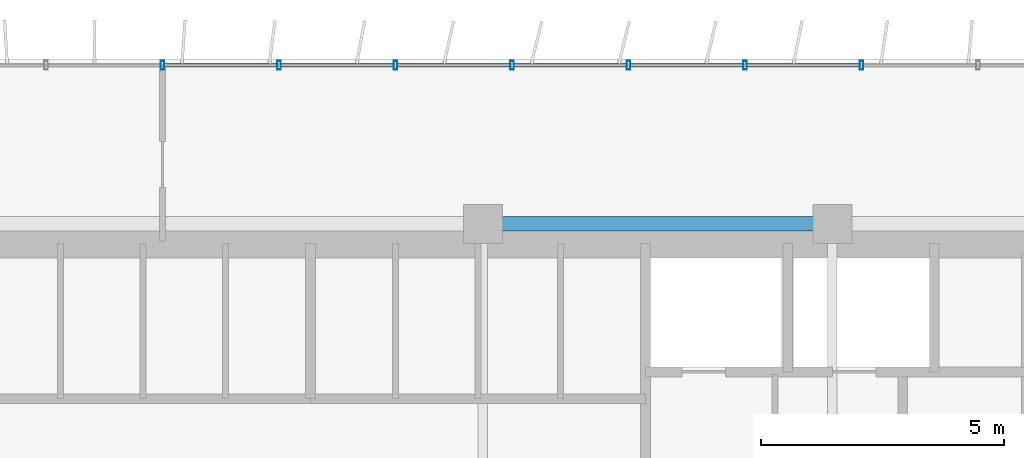
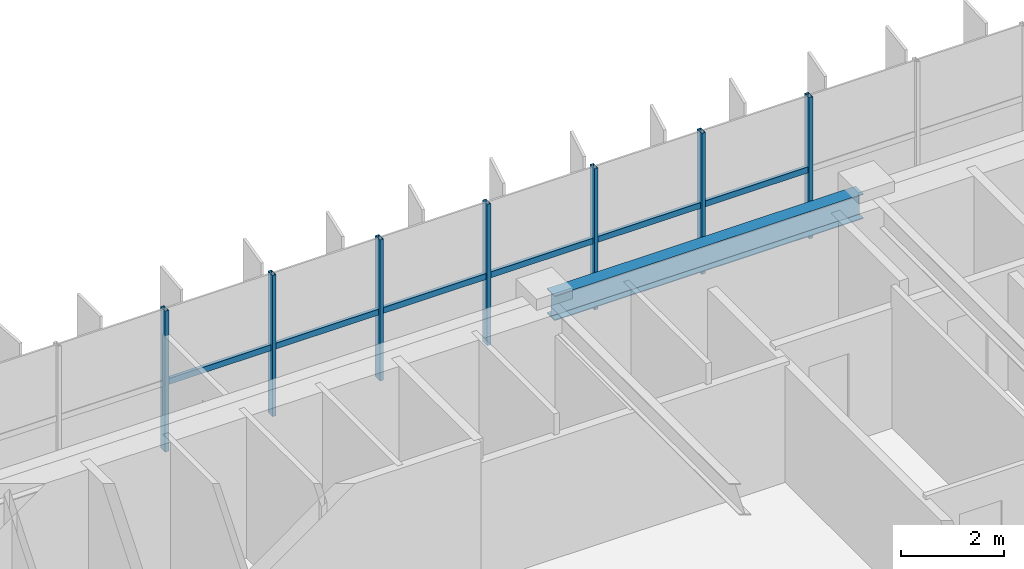
# One storey, part 9 of 22: 13 members, 1 beam, 1 element without a shape of its own.
"""IFC4 building model written with IfcOpenShell, lengths in metres."""

from ifc_helpers import new_model, si_unit, direction, frame, origin, origin_2d, place, context, subcontext, project, spatial, hollow_rectangle, i_section, extrude, source, transform, mapped, material, material_profile, profile_set, type_object, element, aggregate, save


model = new_model("IFC4")

# Units and contexts
model_context = context("Model", 3, precision=1e-05, world=origin(), true_north=direction((0.0, 1.0)))
body_context = subcontext(model_context, "Body", "Model", "MODEL_VIEW")
ifc_project = project(units=[si_unit("LENGTHUNIT", "METRE"), si_unit("AREAUNIT", "SQUARE_METRE"), si_unit("VOLUMEUNIT", "CUBIC_METRE"), si_unit("PLANEANGLEUNIT", "RADIAN"), si_unit("MASSUNIT", "GRAM", prefix="KILO")], contexts=[model_context])

# Site, building, storey
site_placement = place(None, origin())
site = spatial("IfcSite", under=ifc_project, at=site_placement, CompositionType="ELEMENT")
building_placement = place(site_placement, origin())
building = spatial("IfcBuilding", under=site, at=building_placement, Name="Trelvane Seafront Commons", CompositionType="ELEMENT")
storey_placement = place(building_placement, frame((0.0, 0.0, 81.699951171875)))
storey = spatial("IfcBuildingStorey", under=building, at=storey_placement, Name="L20", CompositionType="ELEMENT", Elevation=81.699951171875)

# Beam
ifc_material_1 = material(Name="Steel SM355 (S355)", Category="steel")
ifc_material_profile_1 = material_profile(ifc_material_1, i_section(OverallWidth=0.300048828125, OverallDepth=0.587890625, WebThickness=0.011962890625, FlangeThickness=0.02001953125, at=origin_2d()), Name="H-588x300x12x20")
ifc_profile_set_1 = profile_set([ifc_material_profile_1], Name="Steel SM355 (S355)")
beam_type = type_object("IfcBeamType", Name="STR-BM-H588", PredefinedType="BEAM", material=ifc_profile_set_1)
shared_shape_1 = source(origin(), body_context, "Body", "SweptSolid", [
    extrude(i_section(OverallWidth=0.300048828125, OverallDepth=0.587890625, WebThickness=0.011962890625, FlangeThickness=0.02001953125, at=origin_2d()), origin(), (0.0, 0.0, 1.0), 6.900146484375),
])
beam_placement = place(storey_placement, frame((43.949951171875, 45.10009765625, 3.046142578125), z_axis=(1.0, 0.0, 0.0), x_axis=(0.0, 1.0, 0.0)))
element("IfcBeam", 1, at=beam_placement, inside=storey, type_object=beam_type, Name="L20 Primary Girder G-33", PredefinedType="BEAM", context=body_context, shape_type="MappedRepresentation", body=[
    mapped(shared_shape_1, transform((0.0, 0.0, 0.0), x_axis=(1.0, 0.0, 0.0), y_axis=(0.0, 1.0, 0.0), z_axis=(0.0, 0.0, 1.0), scale=1.0)),
])

# Curtain wall, members
ifc_material_2 = material(Name="Anodised pale-silver aluminium", Category="aluminium")
curtain_wall_type = type_object("IfcCurtainWallType", Name="ARCH-CW4-SKYLOBBY", PredefinedType="NOTDEFINED", material=ifc_material_2)
curtain_wall_placement = place(storey_placement, origin())
curtain_wall = element("IfcCurtainWall", 2, at=curtain_wall_placement, inside=storey, type_object=curtain_wall_type, Name="CW-L20-0045", PredefinedType="NOTDEFINED")
ifc_material_profile_2 = material_profile(ifc_material_2, hollow_rectangle(XDim=0.074951171875, YDim=0.139892578125, WallThickness=0.00390625, at=origin_2d()), Name="TRAN-75x140x4")
ifc_profile_set_2 = profile_set([ifc_material_profile_2], Name="Anodised pale-silver aluminium")
member_type_1 = type_object("IfcMemberType", Name="ARCH-CW-TRAN-140", PredefinedType="USERDEFINED", material=ifc_profile_set_2)
shared_shape_2 = source(origin(), body_context, "Body", "SweptSolid", [
    extrude(hollow_rectangle(XDim=0.074951171875, YDim=0.139892578125, WallThickness=0.00390625, at=origin_2d()), origin(), (0.0, 0.0, 1.0), 2.3759765625),
])
member_1_placement = place(storey_placement, frame((37.2119140625, 48.3701171875, 1.60302734375), z_axis=(1.0, 0.0, 0.0), x_axis=(0.0, 1.0, 0.0)))
member_1 = element("IfcMember", 3, at=member_1_placement, type_object=member_type_1, Name="CW-L20-0045-T09", ObjectType="TRANSOM", PredefinedType="USERDEFINED", context=body_context, shape_type="MappedRepresentation", body=[
    mapped(shared_shape_2, transform((0.0, 0.0, 0.0), x_axis=(1.0, 0.0, 0.0), y_axis=(0.0, 1.0, 0.0), z_axis=(0.0, 0.0, 1.0), scale=1.0)),
])
member_2_placement = place(storey_placement, frame((39.612060546875, 48.3701171875, 1.60302734375), z_axis=(1.0, 0.0, 0.0), x_axis=(0.0, 1.0, 0.0)))
member_2 = element("IfcMember", 4, at=member_2_placement, type_object=member_type_1, Name="CW-L20-0045-T10", ObjectType="TRANSOM", PredefinedType="USERDEFINED", context=body_context, shape_type="MappedRepresentation", body=[
    mapped(shared_shape_2, transform((0.0, 0.0, 0.0), x_axis=(1.0, 0.0, 0.0), y_axis=(0.0, 1.0, 0.0), z_axis=(0.0, 0.0, 1.0), scale=1.0)),
])
member_3_placement = place(storey_placement, frame((42.011962890625, 48.3701171875, 1.60302734375), z_axis=(1.0, 0.0, 0.0), x_axis=(0.0, 1.0, 0.0)))
member_3 = element("IfcMember", 5, at=member_3_placement, type_object=member_type_1, Name="CW-L20-0045-T11", ObjectType="TRANSOM", PredefinedType="USERDEFINED", context=body_context, shape_type="MappedRepresentation", body=[
    mapped(shared_shape_2, transform((0.0, 0.0, 0.0), x_axis=(1.0, 0.0, 0.0), y_axis=(0.0, 1.0, 0.0), z_axis=(0.0, 0.0, 1.0), scale=1.0)),
])
member_4_placement = place(storey_placement, frame((44.412109375, 48.3701171875, 1.60302734375), z_axis=(1.0, 0.0, 0.0), x_axis=(0.0, 1.0, 0.0)))
member_4 = element("IfcMember", 6, at=member_4_placement, type_object=member_type_1, Name="CW-L20-0045-T12", ObjectType="TRANSOM", PredefinedType="USERDEFINED", context=body_context, shape_type="MappedRepresentation", body=[
    mapped(shared_shape_2, transform((0.0, 0.0, 0.0), x_axis=(1.0, 0.0, 0.0), y_axis=(0.0, 1.0, 0.0), z_axis=(0.0, 0.0, 1.0), scale=1.0)),
])
member_5_placement = place(storey_placement, frame((46.81201171875, 48.3701171875, 1.60302734375), z_axis=(1.0, 0.0, 0.0), x_axis=(0.0, 1.0, 0.0)))
member_5 = element("IfcMember", 7, at=member_5_placement, type_object=member_type_1, Name="CW-L20-0045-T13", ObjectType="TRANSOM", PredefinedType="USERDEFINED", context=body_context, shape_type="MappedRepresentation", body=[
    mapped(shared_shape_2, transform((0.0, 0.0, 0.0), x_axis=(1.0, 0.0, 0.0), y_axis=(0.0, 1.0, 0.0), z_axis=(0.0, 0.0, 1.0), scale=1.0)),
])
member_6_placement = place(storey_placement, frame((49.2119140625, 48.3701171875, 1.60302734375), z_axis=(1.0, 0.0, 0.0), x_axis=(0.0, 1.0, 0.0)))
member_6 = element("IfcMember", 8, at=member_6_placement, type_object=member_type_1, Name="CW-L20-0045-T14", ObjectType="TRANSOM", PredefinedType="USERDEFINED", context=body_context, shape_type="MappedRepresentation", body=[
    mapped(shared_shape_2, transform((0.0, 0.0, 0.0), x_axis=(1.0, 0.0, 0.0), y_axis=(0.0, 1.0, 0.0), z_axis=(0.0, 0.0, 1.0), scale=1.0)),
])
ifc_material_profile_3 = material_profile(ifc_material_2, hollow_rectangle(XDim=0.080078125, YDim=0.179931640625, WallThickness=0.00439453125, at=origin_2d()), Name="MULL-80x180x4.5")
ifc_profile_set_3 = profile_set([ifc_material_profile_3], Name="Anodised pale-silver aluminium")
member_type_2 = type_object("IfcMemberType", Name="ARCH-CW-MULL-180", PredefinedType="MULLION", material=ifc_profile_set_3)
shared_shape_3 = source(origin(), body_context, "Body", "SweptSolid", [
    extrude(hollow_rectangle(XDim=0.080078125, YDim=0.179931640625, WallThickness=0.00439453125, at=origin_2d()), origin(), (0.0, 0.0, 1.0), 3.340087890625),
])
member_7_placement = place(storey_placement, frame((37.199951171875, 48.3701171875, 0.0), z_axis=(0.0, 0.0, 1.0), x_axis=(1.0, 0.0, 0.0)))
member_7 = element("IfcMember", 9, at=member_7_placement, type_object=member_type_2, Name="CW-L20-0045-M09", PredefinedType="MULLION", context=body_context, shape_type="MappedRepresentation", body=[
    mapped(shared_shape_3, transform((0.0, 0.0, 0.0), x_axis=(1.0, 0.0, 0.0), y_axis=(0.0, 1.0, 0.0), z_axis=(0.0, 0.0, 1.0), scale=1.0)),
])
member_8_placement = place(storey_placement, frame((39.60009765625, 48.3701171875, 0.0), z_axis=(0.0, 0.0, 1.0), x_axis=(1.0, 0.0, 0.0)))
member_8 = element("IfcMember", 10, at=member_8_placement, type_object=member_type_2, Name="CW-L20-0045-M10", PredefinedType="MULLION", context=body_context, shape_type="MappedRepresentation", body=[
    mapped(shared_shape_3, transform((0.0, 0.0, 0.0), x_axis=(1.0, 0.0, 0.0), y_axis=(0.0, 1.0, 0.0), z_axis=(0.0, 0.0, 1.0), scale=1.0)),
])
member_9_placement = place(storey_placement, frame((42.0, 48.3701171875, 0.0), z_axis=(0.0, 0.0, 1.0), x_axis=(1.0, 0.0, 0.0)))
member_9 = element("IfcMember", 11, at=member_9_placement, type_object=member_type_2, Name="CW-L20-0045-M11", PredefinedType="MULLION", context=body_context, shape_type="MappedRepresentation", body=[
    mapped(shared_shape_3, transform((0.0, 0.0, 0.0), x_axis=(1.0, 0.0, 0.0), y_axis=(0.0, 1.0, 0.0), z_axis=(0.0, 0.0, 1.0), scale=1.0)),
])
member_10_placement = place(storey_placement, frame((44.39990234375, 48.3701171875, 0.0), z_axis=(0.0, 0.0, 1.0), x_axis=(1.0, 0.0, 0.0)))
member_10 = element("IfcMember", 12, at=member_10_placement, type_object=member_type_2, Name="CW-L20-0045-M12", PredefinedType="MULLION", context=body_context, shape_type="MappedRepresentation", body=[
    mapped(shared_shape_3, transform((0.0, 0.0, 0.0), x_axis=(1.0, 0.0, 0.0), y_axis=(0.0, 1.0, 0.0), z_axis=(0.0, 0.0, 1.0), scale=1.0)),
])
member_11_placement = place(storey_placement, frame((46.800048828125, 48.3701171875, 0.0), z_axis=(0.0, 0.0, 1.0), x_axis=(1.0, 0.0, 0.0)))
member_11 = element("IfcMember", 13, at=member_11_placement, type_object=member_type_2, Name="CW-L20-0045-M13", PredefinedType="MULLION", context=body_context, shape_type="MappedRepresentation", body=[
    mapped(shared_shape_3, transform((0.0, 0.0, 0.0), x_axis=(1.0, 0.0, 0.0), y_axis=(0.0, 1.0, 0.0), z_axis=(0.0, 0.0, 1.0), scale=1.0)),
])
member_12_placement = place(storey_placement, frame((49.199951171875, 48.3701171875, 0.0), z_axis=(0.0, 0.0, 1.0), x_axis=(1.0, 0.0, 0.0)))
member_12 = element("IfcMember", 14, at=member_12_placement, type_object=member_type_2, Name="CW-L20-0045-M14", PredefinedType="MULLION", context=body_context, shape_type="MappedRepresentation", body=[
    mapped(shared_shape_3, transform((0.0, 0.0, 0.0), x_axis=(1.0, 0.0, 0.0), y_axis=(0.0, 1.0, 0.0), z_axis=(0.0, 0.0, 1.0), scale=1.0)),
])
member_13_placement = place(storey_placement, frame((51.60009765625, 48.3701171875, 0.0), z_axis=(0.0, 0.0, 1.0), x_axis=(1.0, 0.0, 0.0)))
member_13 = element("IfcMember", 15, at=member_13_placement, type_object=member_type_2, Name="CW-L20-0045-M15", PredefinedType="MULLION", context=body_context, shape_type="MappedRepresentation", body=[
    mapped(shared_shape_3, transform((0.0, 0.0, 0.0), x_axis=(1.0, 0.0, 0.0), y_axis=(0.0, 1.0, 0.0), z_axis=(0.0, 0.0, 1.0), scale=1.0)),
])
aggregate(curtain_wall, [member_7, member_8, member_9, member_10, member_11, member_12, member_13, member_1, member_2, member_3, member_4, member_5, member_6])

save(model, "model.ifc")
